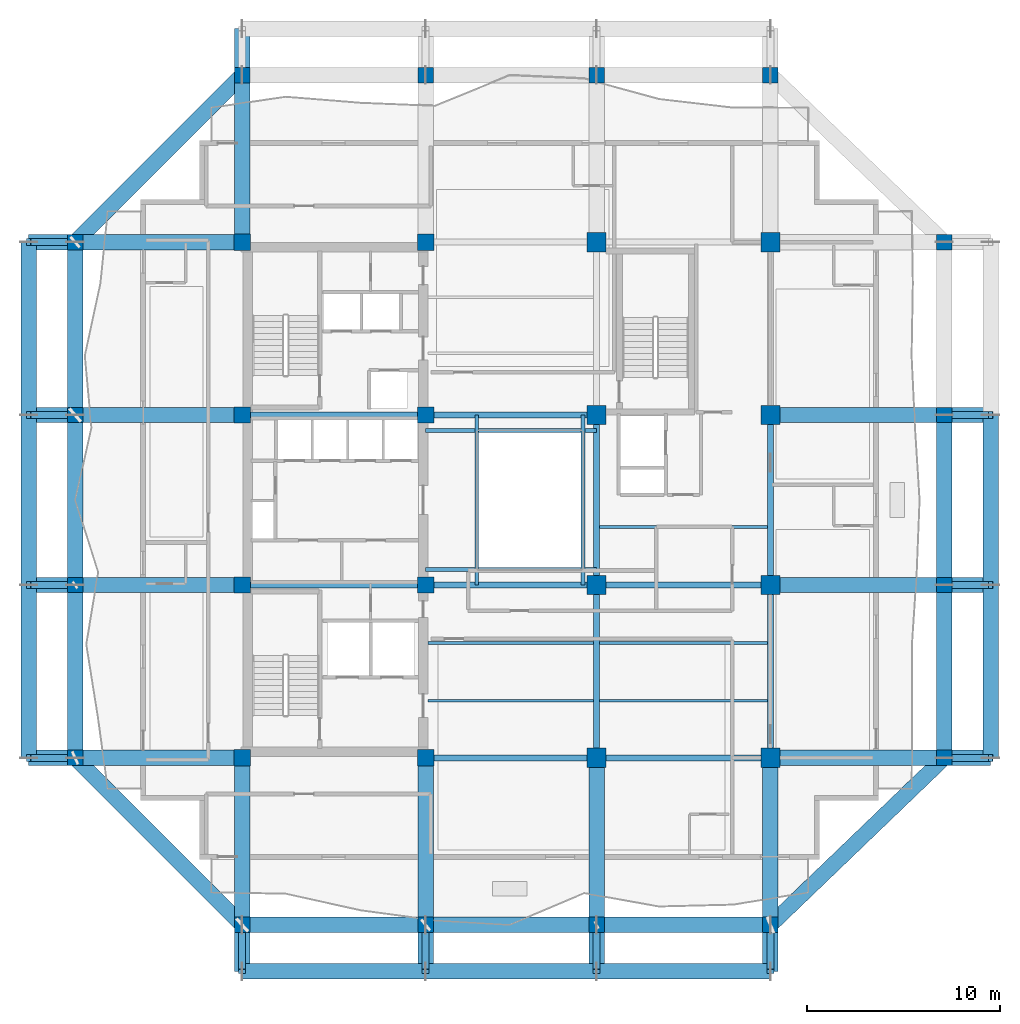
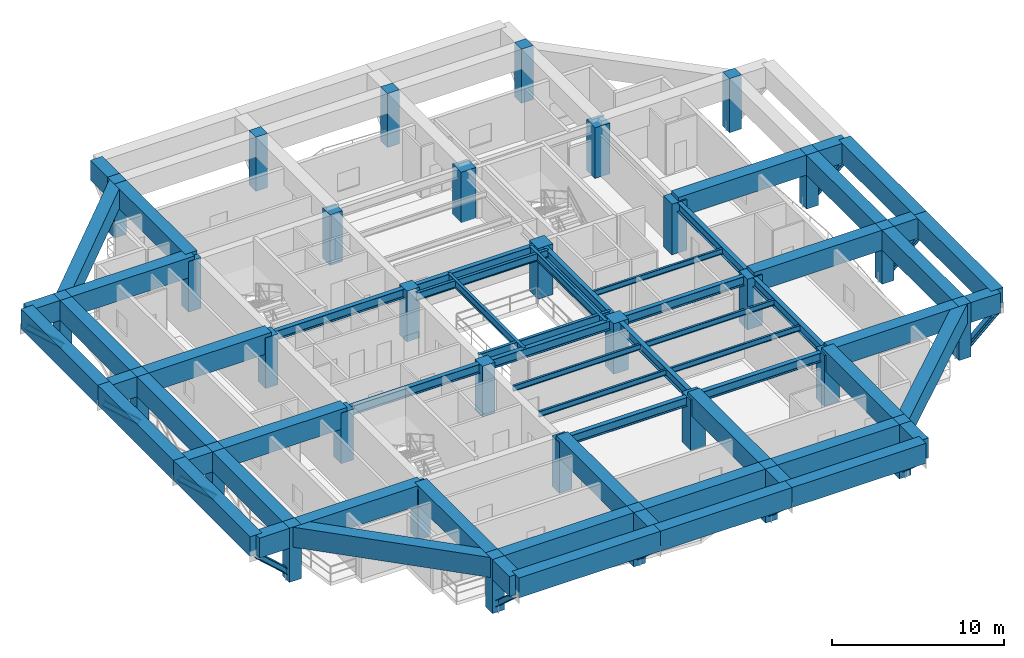
# One storey, part 1 of 11: 51 beams, 32 columns, 11 members.
"""IFC4 building model written with IfcOpenShell, lengths in metres."""

import ifcopenshell
import ifcopenshell.guid

model = None  # the IFC model being written
_history = None  # IfcOwnerHistory: only IFC2X3 demands one
_inside = {}  # id of a spatial element -> (the spatial element, [elements in it])
_under = {}  # id of a project, library or spatial element -> (it, [spatial elements below it])
_declared = {}  # id of a project -> (the project, [libraries it declares])
_typed = {}  # id of a type object -> (the type object, [elements of that type])
_made_of = {}  # id of a material, layer set ... -> (it, [elements and type objects made of it])


def new_model(schema):
    """Start an empty IFC model of exactly this schema.

    Asked for "IFC4X3", IfcOpenShell would pick the latest addendum, in which some entities
    have other attributes; the version numbers below select the first issue.
    IFC2X3 requires an IfcOwnerHistory on every rooted entity: one is made here for all.
    """
    global model, _history
    if schema == "IFC4X3":
        model = ifcopenshell.file(schema_version=(4, 3, 0, 0))
    else:
        model = ifcopenshell.file(schema=schema)
    _inside.clear()
    _under.clear()
    _declared.clear()
    _typed.clear()
    _made_of.clear()
    _history = None
    if model.schema == "IFC2X3":
        org = make("IfcOrganization", Name="unknown")
        user = make(
            "IfcPersonAndOrganization",
            ThePerson=make("IfcPerson", FamilyName="unknown"),
            TheOrganization=org,
        )
        app = make(
            "IfcApplication",
            ApplicationDeveloper=org,
            Version="unknown",
            ApplicationFullName="unknown",
            ApplicationIdentifier="unknown",
        )
        _history = make(
            "IfcOwnerHistory",
            OwningUser=user,
            OwningApplication=app,
            ChangeAction="ADDED",
            CreationDate=0,
        )
    return model


def make(cls, **values):
    """One entity of the class cls with the attributes given. An attribute that is None is left unset."""
    return model.create_entity(
        cls, **{name: value for name, value in values.items() if value is not None}
    )


def rooted(cls, **values):
    """An entity with a GlobalId (a new one), such as an element, a storey or a relation."""
    return make(cls, GlobalId=ifcopenshell.guid.new(), OwnerHistory=_history, **values)


def si_unit(unit_type, name, prefix=None):
    """IfcSIUnit, for example si_unit("LENGTHUNIT", "METRE", prefix="MILLI")."""
    return make("IfcSIUnit", UnitType=unit_type, Prefix=prefix, Name=name)


def assignment(units):
    """IfcUnitAssignment: the units of a project."""
    return None if units is None else make("IfcUnitAssignment", Units=units)


def point(xyz):
    """IfcCartesianPoint."""
    return None if xyz is None else make("IfcCartesianPoint", Coordinates=xyz)


def direction(xyz):
    """IfcDirection."""
    return None if xyz is None else make("IfcDirection", DirectionRatios=xyz)


def frame(location, z_axis=None, x_axis=None):
    """IfcAxis2Placement3D, a coordinate frame: its origin and axes. An axis left out is left unset."""
    return make(
        "IfcAxis2Placement3D",
        Location=point(location),
        Axis=direction(z_axis),
        RefDirection=direction(x_axis),
    )


def frame_2d(location, x_axis=None):
    """IfcAxis2Placement2D, a coordinate frame in the plane: its origin and x axis."""
    return make(
        "IfcAxis2Placement2D", Location=point(location), RefDirection=direction(x_axis)
    )


def origin():
    """The frame at (0, 0, 0) with its axes left unset."""
    return frame((0.0, 0.0, 0.0))


def origin_2d():
    """The frame at (0, 0) in the plane with its x axis left unset."""
    return frame_2d((0.0, 0.0))


def place(relative_to, where):
    """IfcLocalPlacement: puts the frame where relative to a parent placement (None: the world)."""
    return make(
        "IfcLocalPlacement", PlacementRelTo=relative_to, RelativePlacement=where
    )


def context(
    kind, dimensions, precision=None, world=None, true_north=None, identifier=None
):
    """IfcGeometricRepresentationContext, for example the 3D "Model" context."""
    return make(
        "IfcGeometricRepresentationContext",
        ContextIdentifier=identifier,
        ContextType=kind,
        CoordinateSpaceDimension=dimensions,
        Precision=precision,
        WorldCoordinateSystem=world,
        TrueNorth=true_north,
    )


def subcontext(parent, identifier, kind, view, scale=None):
    """IfcGeometricRepresentationSubContext, for example "Body" below "Model"."""
    return make(
        "IfcGeometricRepresentationSubContext",
        ContextIdentifier=identifier,
        ContextType=kind,
        ParentContext=parent,
        TargetScale=scale,
        TargetView=view,
    )


def project(units=None, contexts=None):
    """IfcProject with its units and contexts."""
    return rooted(
        "IfcProject",
        Name="project",
        RepresentationContexts=contexts,
        UnitsInContext=assignment(units),
    )


def spatial(cls, under=None, at=None, **own):
    """A site, building, storey or space (cls), placed at a placement, below another one or the project."""
    s = rooted(cls, ObjectPlacement=at, **own)
    if under is not None:
        _under.setdefault(under.id(), (under, []))[1].append(s)
    return s


def profile(cls, at=None, kind="AREA", **sizes):
    """A parametric profile (cls). Its sizes go by their IFC names, for example OverallWidth=200.0."""
    return make(cls, ProfileType=kind, Position=at, **sizes)


def rectangle(**sizes):
    """IfcRectangleProfileDef."""
    return profile("IfcRectangleProfileDef", **sizes)


def i_section(**sizes):
    """IfcIShapeProfileDef."""
    return profile("IfcIShapeProfileDef", **sizes)


def extrude(swept, where, along, depth):
    """IfcExtrudedAreaSolid: the profile swept, set in the frame where, extruded along a direction by depth."""
    return make(
        "IfcExtrudedAreaSolid",
        SweptArea=swept,
        Position=where,
        ExtrudedDirection=direction(along),
        Depth=depth,
    )


def shape(context_of_items, identifier, shape_type, items):
    """IfcShapeRepresentation: the items that make up one representation, for example the "Body"."""
    return make(
        "IfcShapeRepresentation",
        ContextOfItems=context_of_items,
        RepresentationIdentifier=identifier,
        RepresentationType=shape_type,
        Items=items,
    )


def material(Name=None, Category=None):
    """IfcMaterial."""
    return make("IfcMaterial", Name=Name, Category=Category)


def material_profile(
    of_material, cross_section, Name=None, Category=None, Priority=None
):
    """IfcMaterialProfile: a cross section and its material."""
    return make(
        "IfcMaterialProfile",
        Name=Name,
        Material=of_material,
        Profile=cross_section,
        Priority=Priority,
        Category=Category,
    )


def profile_set(profiles, Name=None, composite=None):
    """IfcMaterialProfileSet."""
    return make(
        "IfcMaterialProfileSet",
        Name=Name,
        MaterialProfiles=profiles,
        CompositeProfile=composite,
    )


def made_of(thing, what):
    """Note that an element or type object is made of a material, layer set ...; save() writes the relation."""
    if what is not None:
        _made_of.setdefault(what.id(), (what, []))[1].append(thing)
    return thing


def type_object(cls, material=None, **own):
    """A type object (cls), such as IfcWallType, which elements share."""
    return made_of(rooted(cls, **own), material)


def element(
    cls,
    number,
    at=None,
    inside=None,
    cuts=None,
    type_object=None,
    material=None,
    context=None,
    identifier="Body",
    shape_type=None,
    held_by="IfcProductDefinitionShape",
    body=None,
    shapes=None,
    **own,
):
    """One element of the class cls, such as IfcWall. Its Tag is "e" and its number.

    at: its placement. inside: the storey or other place that contains it. cuts: it is an
    opening in that element (IfcRelVoidsElement). A single representation is given by context,
    identifier, shape_type and body (its items); several are given by shapes. held_by: the class
    of the entity that holds the representations. save() writes the other relations.
    """
    e = rooted(cls, Tag="e%d" % number, ObjectPlacement=at, **own)
    if body is not None:
        shapes = [shape(context, identifier, shape_type, body)]
    if shapes is not None:
        e.Representation = make(held_by, Representations=shapes)
    if inside is not None:
        _inside.setdefault(inside.id(), (inside, []))[1].append(e)
    if cuts is not None:
        rooted(
            "IfcRelVoidsElement", RelatingBuildingElement=cuts, RelatedOpeningElement=e
        )
    if type_object is not None:
        _typed.setdefault(type_object.id(), (type_object, []))[1].append(e)
    return made_of(e, material)


def aggregate(whole, parts):
    """IfcRelAggregates: a whole, such as a stair, and the parts it consists of."""
    return rooted("IfcRelAggregates", RelatingObject=whole, RelatedObjects=parts)


def save(model, path):
    """Write the relations noted so far, then the file.

    IfcRelAggregates (storeys below a building ...), IfcRelContainedInSpatialStructure (elements
    in a storey), IfcRelDefinesByType, IfcRelAssociatesMaterial and IfcRelDeclares: one each for
    every whole, place, type object, material and project.
    """
    for whole, parts in _under.values():
        aggregate(whole, parts)
    for where, things in _inside.values():
        rooted(
            "IfcRelContainedInSpatialStructure",
            RelatedElements=things,
            RelatingStructure=where,
        )
    for kind, things in _typed.values():
        rooted("IfcRelDefinesByType", RelatedObjects=things, RelatingType=kind)
    for what, things in _made_of.values():
        rooted("IfcRelAssociatesMaterial", RelatedObjects=things, RelatingMaterial=what)
    for by, libraries in _declared.values():
        rooted("IfcRelDeclares", RelatingContext=by, RelatedDefinitions=libraries)
    model.write(path)


model = new_model("IFC4")

# Units and contexts
model_context = context("Model", 3, precision=1e-05, world=origin(), true_north=direction((0.0, 1.0)))
body_context = subcontext(model_context, "Body", "Model", "MODEL_VIEW")
ifc_project = project(units=[si_unit("LENGTHUNIT", "METRE"), si_unit("AREAUNIT", "SQUARE_METRE"), si_unit("VOLUMEUNIT", "CUBIC_METRE"), si_unit("PLANEANGLEUNIT", "RADIAN"), si_unit("MASSUNIT", "GRAM", prefix="KILO")], contexts=[model_context])

# Site, building, storey
site_placement = place(None, origin())
site = spatial("IfcSite", under=ifc_project, at=site_placement, CompositionType="ELEMENT")
building_placement = place(site_placement, origin())
building = spatial("IfcBuilding", under=site, at=building_placement, Name="Kundavana Baori Tower", CompositionType="ELEMENT")
storey_placement = place(building_placement, frame((0.0, 0.0, 154.050048828125)))
storey = spatial("IfcBuildingStorey", under=building, at=storey_placement, Name="L37", CompositionType="ELEMENT", Elevation=154.050048828125)

# Columns
ifc_material_1 = material(Name="Concrete C50/60", Category="concrete")
ifc_material_profile_1 = material_profile(ifc_material_1, rectangle(XDim=0.800048828125, YDim=0.800048828125, at=origin_2d()), Name="RC PF 800x800")
ifc_profile_set_1 = profile_set([ifc_material_profile_1], Name="Concrete C50/60")
column_type_1 = type_object("IfcColumnType", Name="COL-PF-800", PredefinedType="COLUMN", material=ifc_profile_set_1)
for number, where, z_axis, x_axis, name in (
    (1, (15.449951171875, 6.60009765625, 0.0), (0.0, 0.0, 1.0), (1.0, 0.0, 0.0), "L37 Stone-Clad Perimeter Frame Column PF-S1"),
    (2, (15.449951171875, 50.60009765625, 0.0), (0.0, 0.0, 1.0), (1.0, 0.0, 0.0), "L37 Stone-Clad Perimeter Frame Column PF-N1"),
    (3, (24.949951171875, 6.60009765625, 0.0), (0.0, 0.0, 1.0), (1.0, 0.0, 0.0), "L37 Stone-Clad Perimeter Frame Column PF-S2"),
    (4, (24.949951171875, 50.60009765625, 0.0), (0.0, 0.0, 1.0), (1.0, 0.0, 0.0), "L37 Stone-Clad Perimeter Frame Column PF-N2"),
    (5, (33.800048828125, 6.60009765625, 0.0), (0.0, 0.0, 1.0), (1.0, 0.0, 0.0), "L37 Stone-Clad Perimeter Frame Column PF-S3"),
    (6, (33.800048828125, 50.60009765625, 0.0), (0.0, 0.0, 1.0), (1.0, 0.0, 0.0), "L37 Stone-Clad Perimeter Frame Column PF-N3"),
    (7, (42.800048828125, 6.60009765625, 0.0), (0.0, 0.0, 1.0), (1.0, 0.0, 0.0), "L37 Stone-Clad Perimeter Frame Column PF-S4"),
    (8, (42.800048828125, 50.60009765625, 0.0), (0.0, 0.0, 1.0), (1.0, 0.0, 0.0), "L37 Stone-Clad Perimeter Frame Column PF-N4"),
    (9, (6.800048828125, 15.25, 0.0), (0.0, 0.0, 1.0), (1.0, 0.0, 0.0), "L37 Stone-Clad Perimeter Frame Column PF-W1"),
    (10, (51.800048828125, 15.25, 0.0), (0.0, 0.0, 1.0), (1.0, 0.0, 0.0), "L37 Stone-Clad Perimeter Frame Column PF-E1"),
    (11, (6.800048828125, 24.199951171875, 0.0), (0.0, 0.0, 1.0), (1.0, 0.0, 0.0), "L37 Stone-Clad Perimeter Frame Column PF-W2"),
    (12, (51.800048828125, 24.199951171875, 0.0), (0.0, 0.0, 1.0), (1.0, 0.0, 0.0), "L37 Stone-Clad Perimeter Frame Column PF-E2"),
    (13, (6.800048828125, 33.0, 0.0), (0.0, 0.0, 1.0), (1.0, 0.0, 0.0), "L37 Stone-Clad Perimeter Frame Column PF-W3"),
    (14, (51.800048828125, 33.0, 0.0), (0.0, 0.0, 1.0), (1.0, 0.0, 0.0), "L37 Stone-Clad Perimeter Frame Column PF-E3"),
    (15, (6.800048828125, 41.949951171875, 0.0), (0.0, 0.0, 1.0), (1.0, 0.0, 0.0), "L37 Stone-Clad Perimeter Frame Column PF-W4"),
    (16, (51.800048828125, 41.949951171875, 0.0), (0.0, 0.0, 1.0), (1.0, 0.0, 0.0), "L37 Stone-Clad Perimeter Frame Column PF-E4"),
):
    element("IfcColumn", number, at=place(storey_placement, frame(where, z_axis=z_axis, x_axis=x_axis)), inside=storey, type_object=column_type_1, Name=name, PredefinedType="COLUMN", context=body_context, shape_type="SweptSolid", body=[
        extrude(rectangle(XDim=0.800048828125, YDim=0.800048828125, at=origin_2d()), origin(), (0.0, 0.0, 1.0), 3.849853515625),
    ])
ifc_material_2 = material(Name="Concrete C50/60", Category="concrete")
ifc_material_profile_2 = material_profile(ifc_material_2, rectangle(XDim=1.0, YDim=1.0, at=origin_2d()), Name="RC 1000x1000")
ifc_profile_set_2 = profile_set([ifc_material_profile_2], Name="Concrete C50/60")
column_type_2 = type_object("IfcColumnType", Name="COL-RC-1000", PredefinedType="COLUMN", material=ifc_profile_set_2)
for number, where, z_axis, x_axis, name in (
    (17, (33.800048828125, 15.25, 0.0), (0.0, 0.0, 1.0), (1.0, 0.0, 0.0), "L37 Interior Column IC-5C"),
    (18, (33.800048828125, 24.199951171875, 0.0), (0.0, 0.0, 1.0), (1.0, 0.0, 0.0), "L37 Interior Column IC-5D"),
    (19, (33.800048828125, 33.0, 0.0), (0.0, 0.0, 1.0), (1.0, 0.0, 0.0), "L37 Interior Column IC-5E"),
    (20, (33.800048828125, 41.949951171875, 0.0), (0.0, 0.0, 1.0), (1.0, 0.0, 0.0), "L37 Interior Column IC-5F"),
    (21, (42.800048828125, 15.25, 0.0), (0.0, 0.0, 1.0), (1.0, 0.0, 0.0), "L37 Interior Column IC-6C"),
    (22, (42.800048828125, 24.199951171875, 0.0), (0.0, 0.0, 1.0), (1.0, 0.0, 0.0), "L37 Interior Column IC-6D"),
    (23, (42.800048828125, 33.0, 0.0), (0.0, 0.0, 1.0), (1.0, 0.0, 0.0), "L37 Interior Column IC-6E"),
    (24, (42.800048828125, 41.949951171875, 0.0), (0.0, 0.0, 1.0), (1.0, 0.0, 0.0), "L37 Interior Column IC-6F"),
):
    element("IfcColumn", number, at=place(storey_placement, frame(where, z_axis=z_axis, x_axis=x_axis)), inside=storey, type_object=column_type_2, Name=name, PredefinedType="COLUMN", context=body_context, shape_type="SweptSolid", body=[
        extrude(rectangle(XDim=1.0, YDim=1.0, at=origin_2d()), origin(), (0.0, 0.0, 1.0), 3.599853515625),
    ])
ifc_material_3 = material(Name="Concrete C50/60", Category="concrete")
ifc_material_profile_3 = material_profile(ifc_material_3, rectangle(XDim=0.85009765625, YDim=0.85009765625, at=origin_2d()), Name="RC 850x850")
ifc_profile_set_3 = profile_set([ifc_material_profile_3], Name="Concrete C50/60")
column_type_3 = type_object("IfcColumnType", Name="COL-RC-850", PredefinedType="COLUMN", material=ifc_profile_set_3)
for number, where, z_axis, x_axis, name in (
    (25, (15.449951171875, 15.25, 0.0), (0.0, 0.0, 1.0), (1.0, 0.0, 0.0), "L37 Interior Column IC-3C"),
    (26, (15.449951171875, 24.199951171875, 0.0), (0.0, 0.0, 1.0), (1.0, 0.0, 0.0), "L37 Interior Column IC-3D"),
    (27, (15.449951171875, 33.0, 0.0), (0.0, 0.0, 1.0), (1.0, 0.0, 0.0), "L37 Interior Column IC-3E"),
    (28, (15.449951171875, 41.949951171875, 0.0), (0.0, 0.0, 1.0), (1.0, 0.0, 0.0), "L37 Interior Column IC-3F"),
    (29, (24.949951171875, 15.25, 0.0), (0.0, 0.0, 1.0), (1.0, 0.0, 0.0), "L37 Interior Column IC-4C"),
    (30, (24.949951171875, 24.199951171875, 0.0), (0.0, 0.0, 1.0), (1.0, 0.0, 0.0), "L37 Interior Column IC-4D"),
    (31, (24.949951171875, 33.0, 0.0), (0.0, 0.0, 1.0), (1.0, 0.0, 0.0), "L37 Interior Column IC-4E"),
    (32, (24.949951171875, 41.949951171875, 0.0), (0.0, 0.0, 1.0), (1.0, 0.0, 0.0), "L37 Interior Column IC-4F"),
):
    element("IfcColumn", number, at=place(storey_placement, frame(where, z_axis=z_axis, x_axis=x_axis)), inside=storey, type_object=column_type_3, Name=name, PredefinedType="COLUMN", context=body_context, shape_type="SweptSolid", body=[
        extrude(rectangle(XDim=0.85009765625, YDim=0.85009765625, at=origin_2d()), origin(), (0.0, 0.0, 1.0), 3.599853515625),
    ])

# Beams
ifc_material_4 = material(Name="Structural Steel S355JR", Category="steel")
ifc_material_profile_4 = material_profile(ifc_material_4, i_section(OverallWidth=0.139892578125, OverallDepth=0.39990234375, WebThickness=0.0087890625, FlangeThickness=0.01611328125, FilletRadius=0.013916015625, at=origin_2d()), Name="ISMB 400")
ifc_profile_set_4 = profile_set([ifc_material_profile_4], Name="Structural Steel S355JR")
beam_type_1 = type_object("IfcBeamType", Name="BM-JST-400", PredefinedType="JOIST", material=ifc_profile_set_4)
for number, where, z_axis, x_axis, name in (
    (33, (25.080078125, 18.199951171875, 3.39990234375), (1.0, 0.0, 0.0), (0.0, 1.0, 0.0), "L37 Central Bay Composite Floor Joist C1"),
    (34, (25.080078125, 21.199951171875, 3.39990234375), (1.0, 0.0, 0.0), (0.0, 1.0, 0.0), "L37 Central Bay Composite Floor Joist C2"),
):
    element("IfcBeam", number, at=place(storey_placement, frame(where, z_axis=z_axis, x_axis=x_axis)), inside=storey, type_object=beam_type_1, Name=name, PredefinedType="JOIST", context=body_context, shape_type="SweptSolid", body=[
        extrude(i_section(OverallWidth=0.139892578125, OverallDepth=0.39990234375, WebThickness=0.0087890625, FlangeThickness=0.01611328125, FilletRadius=0.013916015625, at=origin_2d()), origin(), (0.0, 0.0, 1.0), 8.56982421875),
    ])
for number, where, z_axis, x_axis, name in (
    (35, (33.949951171875, 18.199951171875, 3.39990234375), (1.0, 0.0, 0.0), (0.0, 1.0, 0.0), "L37 East Bay Composite Floor Joist E1"),
    (36, (33.949951171875, 21.199951171875, 3.39990234375), (1.0, 0.0, 0.0), (0.0, 1.0, 0.0), "L37 East Bay Composite Floor Joist E2"),
    (37, (33.949951171875, 27.199951171875, 3.39990234375), (1.0, 0.0, 0.0), (0.0, 1.0, 0.0), "L37 East Bay Composite Floor Joist E3"),
):
    element("IfcBeam", number, at=place(storey_placement, frame(where, z_axis=z_axis, x_axis=x_axis)), inside=storey, type_object=beam_type_1, Name=name, PredefinedType="JOIST", context=body_context, shape_type="SweptSolid", body=[
        extrude(i_section(OverallWidth=0.139892578125, OverallDepth=0.39990234375, WebThickness=0.0087890625, FlangeThickness=0.01611328125, FilletRadius=0.013916015625, at=origin_2d()), origin(), (0.0, 0.0, 1.0), 8.699951171875),
    ])
ifc_material_5 = material(Name="Structural Steel S355JR", Category="steel")
ifc_material_profile_5 = material_profile(ifc_material_5, i_section(OverallWidth=0.18994140625, OverallDepth=0.550048828125, WebThickness=0.01123046875, FlangeThickness=0.019287109375, FilletRadius=0.01806640625, at=origin_2d()), Name="ISMB 550")
ifc_profile_set_5 = profile_set([ifc_material_profile_5], Name="Structural Steel S355JR")
beam_type_2 = type_object("IfcBeamType", Name="BM-ST-550", PredefinedType="BEAM", material=ifc_profile_set_5)
for number, where, z_axis, x_axis, name in (
    (38, (27.60009765625, 24.199951171875, 3.324951171875), (0.0, 1.0, 0.0), (-1.0, 0.0, 0.0), "L37 Atrium West Edge Beam"),
    (39, (33.10009765625, 24.199951171875, 3.324951171875), (0.0, 1.0, 0.0), (-1.0, 0.0, 0.0), "L37 Atrium East Edge Beam"),
):
    element("IfcBeam", number, at=place(storey_placement, frame(where, z_axis=z_axis, x_axis=x_axis)), inside=storey, type_object=beam_type_2, Name=name, PredefinedType="BEAM", context=body_context, shape_type="SweptSolid", body=[
        extrude(i_section(OverallWidth=0.18994140625, OverallDepth=0.550048828125, WebThickness=0.01123046875, FlangeThickness=0.019287109375, FilletRadius=0.01806640625, at=origin_2d()), origin(), (0.0, 0.0, 1.0), 8.800048828125),
    ])
for number, where, z_axis, x_axis, name in (
    (40, (24.949951171875, 25.0, 3.324951171875), (1.0, 0.0, 0.0), (0.0, 1.0, 0.0), "L37 Atrium South Edge Beam"),
    (41, (24.949951171875, 32.199951171875, 3.324951171875), (1.0, 0.0, 0.0), (0.0, 1.0, 0.0), "L37 Atrium North Edge Beam"),
):
    element("IfcBeam", number, at=place(storey_placement, frame(where, z_axis=z_axis, x_axis=x_axis)), inside=storey, type_object=beam_type_2, Name=name, PredefinedType="BEAM", context=body_context, shape_type="SweptSolid", body=[
        extrude(i_section(OverallWidth=0.18994140625, OverallDepth=0.550048828125, WebThickness=0.01123046875, FlangeThickness=0.019287109375, FilletRadius=0.01806640625, at=origin_2d()), origin(), (0.0, 0.0, 1.0), 8.85009765625),
    ])
ifc_material_6 = material(Name="Structural Steel S355JR", Category="steel")
ifc_material_profile_6 = material_profile(ifc_material_6, i_section(OverallWidth=0.300048828125, OverallDepth=0.64990234375, WebThickness=0.013427734375, FlangeThickness=0.02197265625, FilletRadius=0.02392578125, at=origin_2d()), Name="NPB 650x300x155")
ifc_profile_set_6 = profile_set([ifc_material_profile_6], Name="Structural Steel S355JR")
beam_type_3 = type_object("IfcBeamType", Name="BM-ST-650", PredefinedType="BEAM", material=ifc_profile_set_6)
beam_1_placement = place(storey_placement, frame((24.949951171875, 15.25, 3.27490234375), z_axis=(1.0, 0.0, 0.0), x_axis=(0.0, 1.0, 0.0)))
element("IfcBeam", 42, at=beam_1_placement, inside=storey, type_object=beam_type_3, Name="L37 Primary Grid Girder GX-1-2", PredefinedType="BEAM", context=body_context, shape_type="SweptSolid", body=[
    extrude(i_section(OverallWidth=0.300048828125, OverallDepth=0.64990234375, WebThickness=0.013427734375, FlangeThickness=0.02197265625, FilletRadius=0.02392578125, at=origin_2d()), origin(), (0.0, 0.0, 1.0), 8.85009765625),
])
beam_2_placement = place(storey_placement, frame((33.800048828125, 15.25, 3.27490234375), z_axis=(1.0, 0.0, 0.0), x_axis=(0.0, 1.0, 0.0)))
element("IfcBeam", 43, at=beam_2_placement, inside=storey, type_object=beam_type_3, Name="L37 Primary Grid Girder GX-1-3", PredefinedType="BEAM", context=body_context, shape_type="SweptSolid", body=[
    extrude(i_section(OverallWidth=0.300048828125, OverallDepth=0.64990234375, WebThickness=0.013427734375, FlangeThickness=0.02197265625, FilletRadius=0.02392578125, at=origin_2d()), origin(), (0.0, 0.0, 1.0), 9.0),
])
beam_3_placement = place(storey_placement, frame((15.449951171875, 24.199951171875, 3.27490234375), z_axis=(1.0, 0.0, 0.0), x_axis=(0.0, 1.0, 0.0)))
element("IfcBeam", 44, at=beam_3_placement, inside=storey, type_object=beam_type_3, Name="L37 Primary Grid Girder GX-2-1", PredefinedType="BEAM", context=body_context, shape_type="SweptSolid", body=[
    extrude(i_section(OverallWidth=0.300048828125, OverallDepth=0.64990234375, WebThickness=0.013427734375, FlangeThickness=0.02197265625, FilletRadius=0.02392578125, at=origin_2d()), origin(), (0.0, 0.0, 1.0), 9.5),
])
beam_4_placement = place(storey_placement, frame((24.949951171875, 24.199951171875, 3.27490234375), z_axis=(1.0, 0.0, 0.0), x_axis=(0.0, 1.0, 0.0)))
element("IfcBeam", 45, at=beam_4_placement, inside=storey, type_object=beam_type_3, Name="L37 Primary Grid Girder GX-2-2", PredefinedType="BEAM", context=body_context, shape_type="SweptSolid", body=[
    extrude(i_section(OverallWidth=0.300048828125, OverallDepth=0.64990234375, WebThickness=0.013427734375, FlangeThickness=0.02197265625, FilletRadius=0.02392578125, at=origin_2d()), origin(), (0.0, 0.0, 1.0), 8.85009765625),
])
beam_5_placement = place(storey_placement, frame((33.800048828125, 24.199951171875, 3.27490234375), z_axis=(1.0, 0.0, 0.0), x_axis=(0.0, 1.0, 0.0)))
element("IfcBeam", 46, at=beam_5_placement, inside=storey, type_object=beam_type_3, Name="L37 Primary Grid Girder GX-2-3", PredefinedType="BEAM", context=body_context, shape_type="SweptSolid", body=[
    extrude(i_section(OverallWidth=0.300048828125, OverallDepth=0.64990234375, WebThickness=0.013427734375, FlangeThickness=0.02197265625, FilletRadius=0.02392578125, at=origin_2d()), origin(), (0.0, 0.0, 1.0), 9.0),
])
beam_6_placement = place(storey_placement, frame((15.449951171875, 33.0, 3.27490234375), z_axis=(1.0, 0.0, 0.0), x_axis=(0.0, 1.0, 0.0)))
element("IfcBeam", 47, at=beam_6_placement, inside=storey, type_object=beam_type_3, Name="L37 Primary Grid Girder GX-3-1", PredefinedType="BEAM", context=body_context, shape_type="SweptSolid", body=[
    extrude(i_section(OverallWidth=0.300048828125, OverallDepth=0.64990234375, WebThickness=0.013427734375, FlangeThickness=0.02197265625, FilletRadius=0.02392578125, at=origin_2d()), origin(), (0.0, 0.0, 1.0), 9.5),
])
beam_7_placement = place(storey_placement, frame((24.949951171875, 33.0, 3.27490234375), z_axis=(1.0, 0.0, 0.0), x_axis=(0.0, 1.0, 0.0)))
element("IfcBeam", 48, at=beam_7_placement, inside=storey, type_object=beam_type_3, Name="L37 Primary Grid Girder GX-3-2", PredefinedType="BEAM", context=body_context, shape_type="SweptSolid", body=[
    extrude(i_section(OverallWidth=0.300048828125, OverallDepth=0.64990234375, WebThickness=0.013427734375, FlangeThickness=0.02197265625, FilletRadius=0.02392578125, at=origin_2d()), origin(), (0.0, 0.0, 1.0), 8.85009765625),
])
beam_8_placement = place(storey_placement, frame((33.800048828125, 15.25, 3.27490234375), z_axis=(0.0, 1.0, 0.0), x_axis=(-1.0, 0.0, 0.0)))
element("IfcBeam", 49, at=beam_8_placement, inside=storey, type_object=beam_type_3, Name="L37 Primary Grid Girder GY-3-1", PredefinedType="BEAM", context=body_context, shape_type="SweptSolid", body=[
    extrude(i_section(OverallWidth=0.300048828125, OverallDepth=0.64990234375, WebThickness=0.013427734375, FlangeThickness=0.02197265625, FilletRadius=0.02392578125, at=origin_2d()), origin(), (0.0, 0.0, 1.0), 8.949951171875),
])
beam_9_placement = place(storey_placement, frame((33.800048828125, 24.199951171875, 3.27490234375), z_axis=(0.0, 1.0, 0.0), x_axis=(-1.0, 0.0, 0.0)))
element("IfcBeam", 50, at=beam_9_placement, inside=storey, type_object=beam_type_3, Name="L37 Primary Grid Girder GY-3-2", PredefinedType="BEAM", context=body_context, shape_type="SweptSolid", body=[
    extrude(i_section(OverallWidth=0.300048828125, OverallDepth=0.64990234375, WebThickness=0.013427734375, FlangeThickness=0.02197265625, FilletRadius=0.02392578125, at=origin_2d()), origin(), (0.0, 0.0, 1.0), 8.800048828125),
])
beam_10_placement = place(storey_placement, frame((42.800048828125, 15.25, 3.27490234375), z_axis=(0.0, 1.0, 0.0), x_axis=(-1.0, 0.0, 0.0)))
element("IfcBeam", 51, at=beam_10_placement, inside=storey, type_object=beam_type_3, Name="L37 Primary Grid Girder GY-4-1", PredefinedType="BEAM", context=body_context, shape_type="SweptSolid", body=[
    extrude(i_section(OverallWidth=0.300048828125, OverallDepth=0.64990234375, WebThickness=0.013427734375, FlangeThickness=0.02197265625, FilletRadius=0.02392578125, at=origin_2d()), origin(), (0.0, 0.0, 1.0), 8.949951171875),
])
beam_11_placement = place(storey_placement, frame((42.800048828125, 24.199951171875, 3.27490234375), z_axis=(0.0, 1.0, 0.0), x_axis=(-1.0, 0.0, 0.0)))
element("IfcBeam", 52, at=beam_11_placement, inside=storey, type_object=beam_type_3, Name="L37 Primary Grid Girder GY-4-2", PredefinedType="BEAM", context=body_context, shape_type="SweptSolid", body=[
    extrude(i_section(OverallWidth=0.300048828125, OverallDepth=0.64990234375, WebThickness=0.013427734375, FlangeThickness=0.02197265625, FilletRadius=0.02392578125, at=origin_2d()), origin(), (0.0, 0.0, 1.0), 8.800048828125),
])
ifc_material_7 = material(Name="Concrete C50/60", Category="concrete")
ifc_material_profile_7 = material_profile(ifc_material_7, rectangle(XDim=0.800048828125, YDim=1.419921875, at=origin_2d()), Name="BM-TG-4")
ifc_profile_set_7 = profile_set([ifc_material_profile_7], Name="Concrete C50/60")
beam_type_4 = type_object("IfcBeamType", Name="BM-TG-4", PredefinedType="USERDEFINED", material=ifc_profile_set_7)
beam_12_placement = place(storey_placement, frame((15.449951171875, 6.60009765625, 3.139892578125), z_axis=(1.0, 0.0, 0.0), x_axis=(0.0, 1.0, 0.0)))
element("IfcBeam", 53, at=beam_12_placement, inside=storey, type_object=beam_type_4, Name="L37 Perimeter Frame Ring Beam S1", ObjectType="TRANSFER GIRDER", PredefinedType="USERDEFINED", context=body_context, shape_type="SweptSolid", body=[
    extrude(rectangle(XDim=0.800048828125, YDim=1.419921875, at=origin_2d()), origin(), (0.0, 0.0, 1.0), 9.5),
])
beam_13_placement = place(storey_placement, frame((24.949951171875, 6.60009765625, 3.139892578125), z_axis=(1.0, 0.0, 0.0), x_axis=(0.0, 1.0, 0.0)))
element("IfcBeam", 54, at=beam_13_placement, inside=storey, type_object=beam_type_4, Name="L37 Perimeter Frame Ring Beam S2", ObjectType="TRANSFER GIRDER", PredefinedType="USERDEFINED", context=body_context, shape_type="SweptSolid", body=[
    extrude(rectangle(XDim=0.800048828125, YDim=1.419921875, at=origin_2d()), origin(), (0.0, 0.0, 1.0), 8.85009765625),
])
beam_14_placement = place(storey_placement, frame((33.800048828125, 6.60009765625, 3.139892578125), z_axis=(1.0, 0.0, 0.0), x_axis=(0.0, 1.0, 0.0)))
element("IfcBeam", 55, at=beam_14_placement, inside=storey, type_object=beam_type_4, Name="L37 Perimeter Frame Ring Beam S3", ObjectType="TRANSFER GIRDER", PredefinedType="USERDEFINED", context=body_context, shape_type="SweptSolid", body=[
    extrude(rectangle(XDim=0.800048828125, YDim=1.419921875, at=origin_2d()), origin(), (0.0, 0.0, 1.0), 9.0),
])
beam_15_placement = place(storey_placement, frame((6.800048828125, 15.25, 3.139892578125), z_axis=(0.0, 1.0, 0.0), x_axis=(-1.0, 0.0, 0.0)))
element("IfcBeam", 56, at=beam_15_placement, inside=storey, type_object=beam_type_4, Name="L37 Perimeter Frame Ring Beam W1", ObjectType="TRANSFER GIRDER", PredefinedType="USERDEFINED", context=body_context, shape_type="SweptSolid", body=[
    extrude(rectangle(XDim=0.800048828125, YDim=1.419921875, at=origin_2d()), origin(), (0.0, 0.0, 1.0), 8.949951171875),
])
beam_16_placement = place(storey_placement, frame((6.800048828125, 24.199951171875, 3.139892578125), z_axis=(0.0, 1.0, 0.0), x_axis=(-1.0, 0.0, 0.0)))
element("IfcBeam", 57, at=beam_16_placement, inside=storey, type_object=beam_type_4, Name="L37 Perimeter Frame Ring Beam W2", ObjectType="TRANSFER GIRDER", PredefinedType="USERDEFINED", context=body_context, shape_type="SweptSolid", body=[
    extrude(rectangle(XDim=0.800048828125, YDim=1.419921875, at=origin_2d()), origin(), (0.0, 0.0, 1.0), 8.800048828125),
])
for number, where, z_axis, x_axis, name in (
    (58, (6.800048828125, 33.0, 3.139892578125), (0.0, 1.0, 0.0), (-1.0, 0.0, 0.0), "L37 Perimeter Frame Ring Beam W3"),
    (59, (51.800048828125, 15.25, 3.139892578125), (0.0, 1.0, 0.0), (-1.0, 0.0, 0.0), "L37 Perimeter Frame Ring Beam E1"),
):
    element("IfcBeam", number, at=place(storey_placement, frame(where, z_axis=z_axis, x_axis=x_axis)), inside=storey, type_object=beam_type_4, Name=name, ObjectType="TRANSFER GIRDER", PredefinedType="USERDEFINED", context=body_context, shape_type="SweptSolid", body=[
        extrude(rectangle(XDim=0.800048828125, YDim=1.419921875, at=origin_2d()), origin(), (0.0, 0.0, 1.0), 8.949951171875),
    ])
beam_17_placement = place(storey_placement, frame((51.800048828125, 24.199951171875, 3.139892578125), z_axis=(0.0, 1.0, 0.0), x_axis=(-1.0, 0.0, 0.0)))
element("IfcBeam", 60, at=beam_17_placement, inside=storey, type_object=beam_type_4, Name="L37 Perimeter Frame Ring Beam E2", ObjectType="TRANSFER GIRDER", PredefinedType="USERDEFINED", context=body_context, shape_type="SweptSolid", body=[
    extrude(rectangle(XDim=0.800048828125, YDim=1.419921875, at=origin_2d()), origin(), (0.0, 0.0, 1.0), 8.800048828125),
])
beam_18_placement = place(storey_placement, frame((15.449951171875, 6.60009765625, 3.139892578125), z_axis=(-0.707106781187, 0.707106781187, 0.0), x_axis=(-0.707106781187, -0.707106781187, 0.0)))
element("IfcBeam", 61, at=beam_18_placement, inside=storey, type_object=beam_type_4, Name="L37 Notched Corner Perimeter Beam SW", ObjectType="TRANSFER GIRDER", PredefinedType="USERDEFINED", context=body_context, shape_type="SweptSolid", body=[
    extrude(rectangle(XDim=0.800048828125, YDim=1.419921875, at=origin_2d()), origin(), (0.0, 0.0, 1.0), 12.23291015625),
])
beam_19_placement = place(storey_placement, frame((42.800048828125, 6.60009765625, 3.139892578125), z_axis=(0.720990894297, 0.692944536266, 0.0), x_axis=(-0.692944536266, 0.720990894297, 0.0)))
element("IfcBeam", 62, at=beam_19_placement, inside=storey, type_object=beam_type_4, Name="L37 Notched Corner Perimeter Beam SE", ObjectType="TRANSFER GIRDER", PredefinedType="USERDEFINED", context=body_context, shape_type="SweptSolid", body=[
    extrude(rectangle(XDim=0.800048828125, YDim=1.419921875, at=origin_2d()), origin(), (0.0, 0.0, 1.0), 12.48291015625),
])
beam_20_placement = place(storey_placement, frame((15.449951171875, 50.60009765625, 3.139892578125), z_axis=(-0.70709680233, -0.707116759903, 0.0), x_axis=(0.707116759903, -0.70709680233, 0.0)))
element("IfcBeam", 63, at=beam_20_placement, inside=storey, type_object=beam_type_4, Name="L37 Notched Corner Perimeter Beam NW", ObjectType="TRANSFER GIRDER", PredefinedType="USERDEFINED", context=body_context, shape_type="SweptSolid", body=[
    extrude(rectangle(XDim=0.800048828125, YDim=1.419921875, at=origin_2d()), origin(), (0.0, 0.0, 1.0), 12.23291015625),
])
for number, where, z_axis, x_axis, name in (
    (64, (15.449951171875, 15.25, 3.139892578125), (0.0, -1.0, 0.0), (1.0, 0.0, 0.0), "L37 South Radial Transfer Girder S1"),
    (65, (15.449951171875, 41.949951171875, 3.139892578125), (0.0, 1.0, 0.0), (-1.0, 0.0, 0.0), "L37 North Radial Transfer Girder N1"),
    (66, (24.949951171875, 15.25, 3.139892578125), (0.0, -1.0, 0.0), (1.0, 0.0, 0.0), "L37 South Radial Transfer Girder S2"),
    (67, (33.800048828125, 15.25, 3.139892578125), (0.0, -1.0, 0.0), (1.0, 0.0, 0.0), "L37 South Radial Transfer Girder S3"),
    (68, (42.800048828125, 15.25, 3.139892578125), (0.0, -1.0, 0.0), (1.0, 0.0, 0.0), "L37 South Radial Transfer Girder S4"),
    (69, (15.449951171875, 15.25, 3.139892578125), (-1.0, 0.0, 0.0), (0.0, -1.0, 0.0), "L37 West Radial Transfer Girder W1"),
):
    element("IfcBeam", number, at=place(storey_placement, frame(where, z_axis=z_axis, x_axis=x_axis)), inside=storey, type_object=beam_type_4, Name=name, ObjectType="TRANSFER GIRDER", PredefinedType="USERDEFINED", context=body_context, shape_type="SweptSolid", body=[
        extrude(rectangle(XDim=0.800048828125, YDim=1.419921875, at=origin_2d()), origin(), (0.0, 0.0, 1.0), 11.050048828125),
    ])
beam_21_placement = place(storey_placement, frame((42.800048828125, 15.25, 3.139892578125), z_axis=(1.0, 0.0, 0.0), x_axis=(0.0, 1.0, 0.0)))
element("IfcBeam", 70, at=beam_21_placement, inside=storey, type_object=beam_type_4, Name="L37 East Radial Transfer Girder E1", ObjectType="TRANSFER GIRDER", PredefinedType="USERDEFINED", context=body_context, shape_type="SweptSolid", body=[
    extrude(rectangle(XDim=0.800048828125, YDim=1.419921875, at=origin_2d()), origin(), (0.0, 0.0, 1.0), 11.39990234375),
])
beam_22_placement = place(storey_placement, frame((15.449951171875, 24.199951171875, 3.139892578125), z_axis=(-1.0, 0.0, 0.0), x_axis=(0.0, -1.0, 0.0)))
element("IfcBeam", 71, at=beam_22_placement, inside=storey, type_object=beam_type_4, Name="L37 West Radial Transfer Girder W2", ObjectType="TRANSFER GIRDER", PredefinedType="USERDEFINED", context=body_context, shape_type="SweptSolid", body=[
    extrude(rectangle(XDim=0.800048828125, YDim=1.419921875, at=origin_2d()), origin(), (0.0, 0.0, 1.0), 11.050048828125),
])
beam_23_placement = place(storey_placement, frame((42.800048828125, 24.199951171875, 3.139892578125), z_axis=(1.0, 0.0, 0.0), x_axis=(0.0, 1.0, 0.0)))
element("IfcBeam", 72, at=beam_23_placement, inside=storey, type_object=beam_type_4, Name="L37 East Radial Transfer Girder E2", ObjectType="TRANSFER GIRDER", PredefinedType="USERDEFINED", context=body_context, shape_type="SweptSolid", body=[
    extrude(rectangle(XDim=0.800048828125, YDim=1.419921875, at=origin_2d()), origin(), (0.0, 0.0, 1.0), 11.39990234375),
])
beam_24_placement = place(storey_placement, frame((15.449951171875, 33.0, 3.139892578125), z_axis=(-1.0, 0.0, 0.0), x_axis=(0.0, -1.0, 0.0)))
element("IfcBeam", 73, at=beam_24_placement, inside=storey, type_object=beam_type_4, Name="L37 West Radial Transfer Girder W3", ObjectType="TRANSFER GIRDER", PredefinedType="USERDEFINED", context=body_context, shape_type="SweptSolid", body=[
    extrude(rectangle(XDim=0.800048828125, YDim=1.419921875, at=origin_2d()), origin(), (0.0, 0.0, 1.0), 11.050048828125),
])
beam_25_placement = place(storey_placement, frame((42.800048828125, 33.0, 3.139892578125), z_axis=(1.0, 0.0, 0.0), x_axis=(0.0, 1.0, 0.0)))
element("IfcBeam", 74, at=beam_25_placement, inside=storey, type_object=beam_type_4, Name="L37 East Radial Transfer Girder E3", ObjectType="TRANSFER GIRDER", PredefinedType="USERDEFINED", context=body_context, shape_type="SweptSolid", body=[
    extrude(rectangle(XDim=0.800048828125, YDim=1.419921875, at=origin_2d()), origin(), (0.0, 0.0, 1.0), 11.39990234375),
])
beam_26_placement = place(storey_placement, frame((15.449951171875, 41.949951171875, 3.139892578125), z_axis=(-1.0, 0.0, 0.0), x_axis=(0.0, -1.0, 0.0)))
element("IfcBeam", 75, at=beam_26_placement, inside=storey, type_object=beam_type_4, Name="L37 West Radial Transfer Girder W4", ObjectType="TRANSFER GIRDER", PredefinedType="USERDEFINED", context=body_context, shape_type="SweptSolid", body=[
    extrude(rectangle(XDim=0.800048828125, YDim=1.419921875, at=origin_2d()), origin(), (0.0, 0.0, 1.0), 11.050048828125),
])
beam_27_placement = place(storey_placement, frame((15.449951171875, 4.199951171875, 3.139892578125), z_axis=(1.0, 0.0, 0.0), x_axis=(0.0, 1.0, 0.0)))
element("IfcBeam", 76, at=beam_27_placement, inside=storey, type_object=beam_type_4, Name="L37 Setback Collar Transfer Girder S1", ObjectType="TRANSFER GIRDER", PredefinedType="USERDEFINED", context=body_context, shape_type="SweptSolid", body=[
    extrude(rectangle(XDim=0.800048828125, YDim=1.419921875, at=origin_2d()), origin(), (0.0, 0.0, 1.0), 9.5),
])
beam_28_placement = place(storey_placement, frame((24.949951171875, 4.199951171875, 3.139892578125), z_axis=(1.0, 0.0, 0.0), x_axis=(0.0, 1.0, 0.0)))
element("IfcBeam", 77, at=beam_28_placement, inside=storey, type_object=beam_type_4, Name="L37 Setback Collar Transfer Girder S2", ObjectType="TRANSFER GIRDER", PredefinedType="USERDEFINED", context=body_context, shape_type="SweptSolid", body=[
    extrude(rectangle(XDim=0.800048828125, YDim=1.419921875, at=origin_2d()), origin(), (0.0, 0.0, 1.0), 8.85009765625),
])
beam_29_placement = place(storey_placement, frame((33.800048828125, 4.199951171875, 3.139892578125), z_axis=(1.0, 0.0, 0.0), x_axis=(0.0, 1.0, 0.0)))
element("IfcBeam", 78, at=beam_29_placement, inside=storey, type_object=beam_type_4, Name="L37 Setback Collar Transfer Girder S3", ObjectType="TRANSFER GIRDER", PredefinedType="USERDEFINED", context=body_context, shape_type="SweptSolid", body=[
    extrude(rectangle(XDim=0.800048828125, YDim=1.419921875, at=origin_2d()), origin(), (0.0, 0.0, 1.0), 9.0),
])
beam_30_placement = place(storey_placement, frame((4.39990234375, 15.25, 3.139892578125), z_axis=(0.0, 1.0, 0.0), x_axis=(-1.0, 0.0, 0.0)))
element("IfcBeam", 79, at=beam_30_placement, inside=storey, type_object=beam_type_4, Name="L37 Setback Collar Transfer Girder W1", ObjectType="TRANSFER GIRDER", PredefinedType="USERDEFINED", context=body_context, shape_type="SweptSolid", body=[
    extrude(rectangle(XDim=0.800048828125, YDim=1.419921875, at=origin_2d()), origin(), (0.0, 0.0, 1.0), 8.949951171875),
])
beam_31_placement = place(storey_placement, frame((4.39990234375, 24.199951171875, 3.139892578125), z_axis=(0.0, 1.0, 0.0), x_axis=(-1.0, 0.0, 0.0)))
element("IfcBeam", 80, at=beam_31_placement, inside=storey, type_object=beam_type_4, Name="L37 Setback Collar Transfer Girder W2", ObjectType="TRANSFER GIRDER", PredefinedType="USERDEFINED", context=body_context, shape_type="SweptSolid", body=[
    extrude(rectangle(XDim=0.800048828125, YDim=1.419921875, at=origin_2d()), origin(), (0.0, 0.0, 1.0), 8.800048828125),
])
for number, where, z_axis, x_axis, name in (
    (81, (4.39990234375, 33.0, 3.139892578125), (0.0, 1.0, 0.0), (-1.0, 0.0, 0.0), "L37 Setback Collar Transfer Girder W3"),
    (82, (54.199951171875, 15.25, 3.139892578125), (0.0, 1.0, 0.0), (-1.0, 0.0, 0.0), "L37 Setback Collar Transfer Girder E1"),
):
    element("IfcBeam", number, at=place(storey_placement, frame(where, z_axis=z_axis, x_axis=x_axis)), inside=storey, type_object=beam_type_4, Name=name, ObjectType="TRANSFER GIRDER", PredefinedType="USERDEFINED", context=body_context, shape_type="SweptSolid", body=[
        extrude(rectangle(XDim=0.800048828125, YDim=1.419921875, at=origin_2d()), origin(), (0.0, 0.0, 1.0), 8.949951171875),
    ])
beam_32_placement = place(storey_placement, frame((54.199951171875, 24.199951171875, 3.139892578125), z_axis=(0.0, 1.0, 0.0), x_axis=(-1.0, 0.0, 0.0)))
element("IfcBeam", 83, at=beam_32_placement, inside=storey, type_object=beam_type_4, Name="L37 Setback Collar Transfer Girder E2", ObjectType="TRANSFER GIRDER", PredefinedType="USERDEFINED", context=body_context, shape_type="SweptSolid", body=[
    extrude(rectangle(XDim=0.800048828125, YDim=1.419921875, at=origin_2d()), origin(), (0.0, 0.0, 1.0), 8.800048828125),
])

# Members
ifc_material_8 = material(Name="Structural Steel S355JR", Category="steel")
ifc_material_profile_8 = material_profile(ifc_material_8, i_section(OverallWidth=0.360107421875, OverallDepth=0.360107421875, WebThickness=0.012451171875, FlangeThickness=0.0224609375, FilletRadius=0.02392578125, at=origin_2d()), Name="WPB 360x360x142")
ifc_profile_set_8 = profile_set([ifc_material_profile_8], Name="Structural Steel S355JR")
member_type = type_object("IfcMemberType", Name="MEM-WSTR-360", PredefinedType="STRUT", material=ifc_profile_set_8)
for number, where, z_axis, x_axis, name in (
    (84, (15.449951171875, 6.60009765625, 0.280029296875), (0.0, -0.744870636915, 0.667208913506), (1.0, 0.0, 0.0), "L37 Waist Flare Raked Steel Strut S1"),
    (85, (24.949951171875, 6.60009765625, 0.280029296875), (0.0, -0.744870636915, 0.667208913506), (1.0, 0.0, 0.0), "L37 Waist Flare Raked Steel Strut S2"),
    (86, (33.800048828125, 6.60009765625, 0.280029296875), (0.0, -0.744870636915, 0.667208913506), (1.0, 0.0, 0.0), "L37 Waist Flare Raked Steel Strut S3"),
    (87, (42.800048828125, 6.60009765625, 0.280029296875), (0.0, -0.744870636915, 0.667208913506), (1.0, 0.0, 0.0), "L37 Waist Flare Raked Steel Strut S4"),
    (88, (6.800048828125, 15.25, 0.280029296875), (-0.744870636915, 0.0, 0.667208913506), (0.0, -1.0, 0.0), "L37 Waist Flare Raked Steel Strut W1"),
    (89, (51.800048828125, 15.25, 0.280029296875), (0.744836904798, 0.0, 0.667246570056), (0.0, 1.0, 0.0), "L37 Waist Flare Raked Steel Strut E1"),
    (90, (6.800048828125, 24.199951171875, 0.280029296875), (-0.744870636915, 0.0, 0.667208913506), (0.0, -1.0, 0.0), "L37 Waist Flare Raked Steel Strut W2"),
    (91, (51.800048828125, 24.199951171875, 0.280029296875), (0.744836904798, 0.0, 0.667246570056), (0.0, 1.0, 0.0), "L37 Waist Flare Raked Steel Strut E2"),
    (92, (6.800048828125, 33.0, 0.280029296875), (-0.744870636915, 0.0, 0.667208913506), (0.0, -1.0, 0.0), "L37 Waist Flare Raked Steel Strut W3"),
    (93, (51.800048828125, 33.0, 0.280029296875), (0.744836904798, 0.0, 0.667246570056), (0.0, 1.0, 0.0), "L37 Waist Flare Raked Steel Strut E3"),
    (94, (6.800048828125, 41.949951171875, 0.280029296875), (-0.744870636915, 0.0, 0.667208913506), (0.0, -1.0, 0.0), "L37 Waist Flare Raked Steel Strut W4"),
):
    element("IfcMember", number, at=place(storey_placement, frame(where, z_axis=z_axis, x_axis=x_axis)), inside=storey, type_object=member_type, Name=name, PredefinedType="STRUT", context=body_context, shape_type="SweptSolid", body=[
        extrude(i_section(OverallWidth=0.360107421875, OverallDepth=0.360107421875, WebThickness=0.012451171875, FlangeThickness=0.0224609375, FilletRadius=0.02392578125, at=origin_2d()), origin(), (0.0, 0.0, 1.0), 3.22216796875),
    ])

save(model, "model.ifc")
